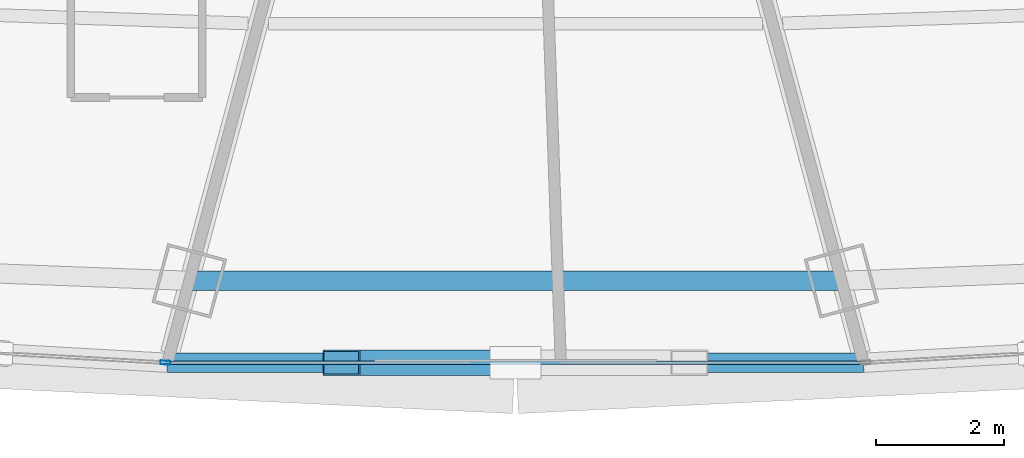
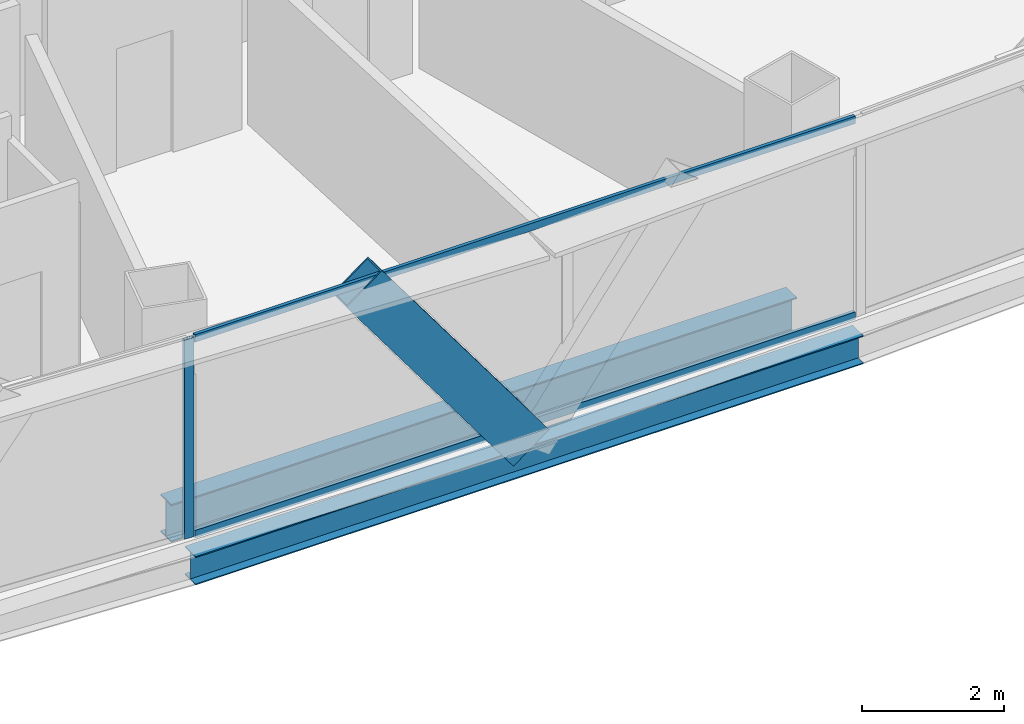
# One storey, part 10 of 42: 4 members, 2 beams, 2 elements without a shape of their own.
"""IFC4 building model written with IfcOpenShell, lengths in metres."""

from ifc_helpers import new_model, si_unit, direction, frame, origin, origin_2d, place, context, subcontext, project, spatial, hollow_rectangle, i_section, extrude, source, transform, mapped, material, layer, layer_set, material_profile, profile_set, type_object, element, aggregate, save


model = new_model("IFC4")

# Units and contexts
model_context = context("Model", 3, precision=1e-05, world=origin(), true_north=direction((0.0, 1.0)))
body_context = subcontext(model_context, "Body", "Model", "MODEL_VIEW")
ifc_project = project(units=[si_unit("LENGTHUNIT", "METRE"), si_unit("AREAUNIT", "SQUARE_METRE"), si_unit("VOLUMEUNIT", "CUBIC_METRE"), si_unit("PLANEANGLEUNIT", "RADIAN"), si_unit("MASSUNIT", "GRAM", prefix="KILO"), si_unit("THERMODYNAMICTEMPERATUREUNIT", "KELVIN"), si_unit("POWERUNIT", "WATT")], contexts=[model_context])

# Site, building, storey
site_placement = place(None, origin())
site = spatial("IfcSite", under=ifc_project, at=site_placement, CompositionType="ELEMENT")
building_placement = place(site_placement, origin())
building = spatial("IfcBuilding", under=site, at=building_placement, Name="Yunzhuo Pagoda Commons", CompositionType="ELEMENT")
storey_placement = place(building_placement, frame((0.0, 0.0, 151.909912109375)))
storey = spatial("IfcBuildingStorey", under=building, at=storey_placement, Name="L38", CompositionType="ELEMENT", Elevation=151.909912109375)

# Beams
ifc_material_1 = material(Name="Structural steel Q355B", Category="steel")
ifc_material_profile_1 = material_profile(ifc_material_1, i_section(OverallWidth=0.300048828125, OverallDepth=0.64990234375, WebThickness=0.012939453125, FlangeThickness=0.02197265625, at=origin_2d()), Name="Structural steel Q355B")
ifc_profile_set_1 = profile_set([ifc_material_profile_1], Name="Structural steel Q355B")
beam_type_1 = type_object("IfcBeamType", Name="B-RG2 Beam HN 650x300x13x22", PredefinedType="BEAM", material=ifc_profile_set_1)
shared_shape_1 = source(origin(), body_context, "Body", "SweptSolid", [
    extrude(i_section(OverallWidth=0.300048828125, OverallDepth=0.64990234375, WebThickness=0.012939453125, FlangeThickness=0.02197265625, at=origin_2d()), origin(), (0.0, 0.0, 1.0), 10.17041015625),
])
beam_1_placement = place(storey_placement, frame((42.914794921875, 14.7216796875, -0.5849609375), z_axis=(1.0, 0.0, 0.0), x_axis=(0.0, 1.0, 0.0)))
element("IfcBeam", 1, at=beam_1_placement, inside=storey, type_object=beam_type_1, Name="L38 column-ring beam 2", PredefinedType="BEAM", context=body_context, shape_type="MappedRepresentation", body=[
    mapped(shared_shape_1, transform((0.0, 0.0, 0.0), scale=1.0)),
])
ifc_material_profile_2 = material_profile(ifc_material_1, i_section(OverallWidth=0.300048828125, OverallDepth=0.488037109375, WebThickness=0.010986328125, FlangeThickness=0.01806640625, at=origin_2d()), Name="Structural steel Q355B")
ifc_profile_set_2 = profile_set([ifc_material_profile_2], Name="Structural steel Q355B")
beam_type_2 = type_object("IfcBeamType", Name="B-SP1 Beam HM 488x300x11x18", PredefinedType="BEAM", material=ifc_profile_set_2)
shared_shape_2 = source(origin(), body_context, "Body", "SweptSolid", [
    extrude(i_section(OverallWidth=0.300048828125, OverallDepth=0.488037109375, WebThickness=0.010986328125, FlangeThickness=0.01806640625, at=origin_2d()), origin(), (0.0, 0.0, 1.0), 10.85498046875),
])
beam_2_placement = place(storey_placement, frame((42.572509765625, 13.44384765625, -0.50390625), z_axis=(1.0, 0.0, 0.0), x_axis=(0.0, 1.0, 0.0)))
element("IfcBeam", 2, at=beam_2_placement, inside=storey, type_object=beam_type_2, Name="L38 facade edge spandrel beam F1.2", PredefinedType="BEAM", context=body_context, shape_type="MappedRepresentation", body=[
    mapped(shared_shape_2, transform((0.0, 0.0, 0.0), scale=1.0)),
])

# Member
ifc_material_profile_3 = material_profile(ifc_material_1, hollow_rectangle(XDim=0.39990234375, YDim=0.719970703125, WallThickness=0.02392578125, at=origin_2d()), Name="Structural steel Q355B")
ifc_profile_set_3 = profile_set([ifc_material_profile_3], Name="Structural steel Q355B")
member_type_1 = type_object("IfcMemberType", Name="M-DL2 Brace BOX 720x400x24", PredefinedType="BRACE", material=ifc_profile_set_3)
shared_shape_3 = source(origin(), body_context, "Body", "SweptSolid", [
    extrude(hollow_rectangle(XDim=0.39990234375, YDim=0.719970703125, WallThickness=0.02392578125, at=origin_2d()), origin(), (0.0, 0.0, 1.0), 4.572509765625),
])
member_1_placement = place(storey_placement, frame((48.0, 13.44384765625, -0.260009765625), z_axis=(-0.593504968491, 0.0, 0.80483032521), x_axis=(0.0, -1.0, 0.0)))
element("IfcMember", 3, at=member_1_placement, inside=storey, type_object=member_type_1, Name="L38 facade diamond brace F1.2L", PredefinedType="BRACE", context=body_context, shape_type="MappedRepresentation", body=[
    mapped(shared_shape_3, transform((0.0, 0.0, 0.0), scale=1.0)),
])

# Curtain wall, member
ifc_material_2 = material(Name="Anodized aluminium 6063-T6", Category="aluminium")
ifc_layer = layer(ifc_material_2, 0.14990234375)
ifc_layer_set = layer_set([ifc_layer], Name="Anodized aluminium 6063-T6")
curtain_wall_type = type_object("IfcCurtainWallType", Name="CW-MID Mid-Zone Ribbon Curtain Wall", PredefinedType="NOTDEFINED", material=ifc_layer_set)
curtain_wall_1_placement = place(storey_placement, origin())
curtain_wall_1 = element("IfcCurtainWall", 4, at=curtain_wall_1_placement, inside=storey, type_object=curtain_wall_type, Name="L38 curtain wall CW-L38-F1B2", PredefinedType="NOTDEFINED")
ifc_material_profile_4 = material_profile(ifc_material_2, hollow_rectangle(XDim=0.06005859375, YDim=0.14990234375, WallThickness=0.00390625, at=origin_2d()), Name="Anodized aluminium 6063-T6")
ifc_profile_set_4 = profile_set([ifc_material_profile_4], Name="Anodized aluminium 6063-T6")
member_type_2 = type_object("IfcMemberType", Name="CW-MID-M Mullion RHS 150x60x4", PredefinedType="MULLION", material=ifc_profile_set_4)
shared_shape_4 = source(origin(), body_context, "Body", "SweptSolid", [
    extrude(hollow_rectangle(XDim=0.06005859375, YDim=0.14990234375, WallThickness=0.00390625, at=origin_2d()), origin(), (0.0, 0.0, 1.0), 3.420166015625),
])
member_2_placement = place(storey_placement, frame((42.542724609375, 13.445556640625, 0.0), z_axis=(0.0, 0.0, 1.0), x_axis=(0.056459249567, 0.998404904404, 0.0)))
member_2 = element("IfcMember", 5, at=member_2_placement, type_object=member_type_2, Name="CW mullion 2", PredefinedType="MULLION", context=body_context, shape_type="MappedRepresentation", body=[
    mapped(shared_shape_4, transform((0.0, 0.0, 0.0), scale=1.0)),
])
aggregate(curtain_wall_1, [member_2])

# Curtain wall, members
curtain_wall_2_placement = place(storey_placement, origin())
curtain_wall_2 = element("IfcCurtainWall", 6, at=curtain_wall_2_placement, inside=storey, type_object=curtain_wall_type, Name="L38 curtain wall CW-L38-F1B3", PredefinedType="NOTDEFINED")
ifc_material_profile_5 = material_profile(ifc_material_2, hollow_rectangle(XDim=0.054931640625, YDim=0.1298828125, WallThickness=0.00341796875, at=origin_2d()), Name="Anodized aluminium 6063-T6")
ifc_profile_set_5 = profile_set([ifc_material_profile_5], Name="Anodized aluminium 6063-T6")
member_type_3 = type_object("IfcMemberType", Name="CW-MID-T Transom RHS 130x55x3.5", PredefinedType="USERDEFINED", material=ifc_profile_set_5)
shared_shape_5 = source(origin(), body_context, "Body", "SweptSolid", [
    extrude(hollow_rectangle(XDim=0.054931640625, YDim=0.1298828125, WallThickness=0.00341796875, at=origin_2d()), origin(), (0.0, 0.0, 1.0), 10.7353515625),
])
member_3_placement = place(storey_placement, frame((42.63232421875, 13.44384765625, 0.027587890625), z_axis=(1.0, 0.0, 0.0), x_axis=(0.0, 1.0, 0.0)))
member_3 = element("IfcMember", 7, at=member_3_placement, type_object=member_type_3, Name="CW transom 1.1", ObjectType="TRANSOM", PredefinedType="USERDEFINED", context=body_context, shape_type="MappedRepresentation", body=[
    mapped(shared_shape_5, transform((0.0, 0.0, 0.0), scale=1.0)),
])
member_4_placement = place(storey_placement, frame((42.63232421875, 13.44384765625, 3.392578125), z_axis=(1.0, 0.0, 0.0), x_axis=(0.0, 1.0, 0.0)))
member_4 = element("IfcMember", 8, at=member_4_placement, type_object=member_type_3, Name="CW transom 1.2", ObjectType="TRANSOM", PredefinedType="USERDEFINED", context=body_context, shape_type="MappedRepresentation", body=[
    mapped(shared_shape_5, transform((0.0, 0.0, 0.0), scale=1.0)),
])
aggregate(curtain_wall_2, [member_3, member_4])

save(model, "model.ifc")
